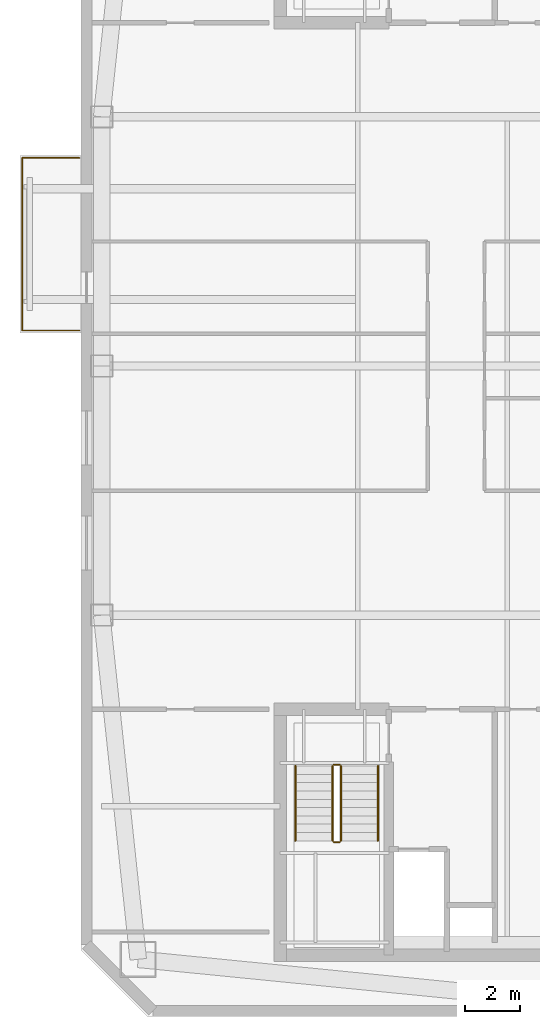
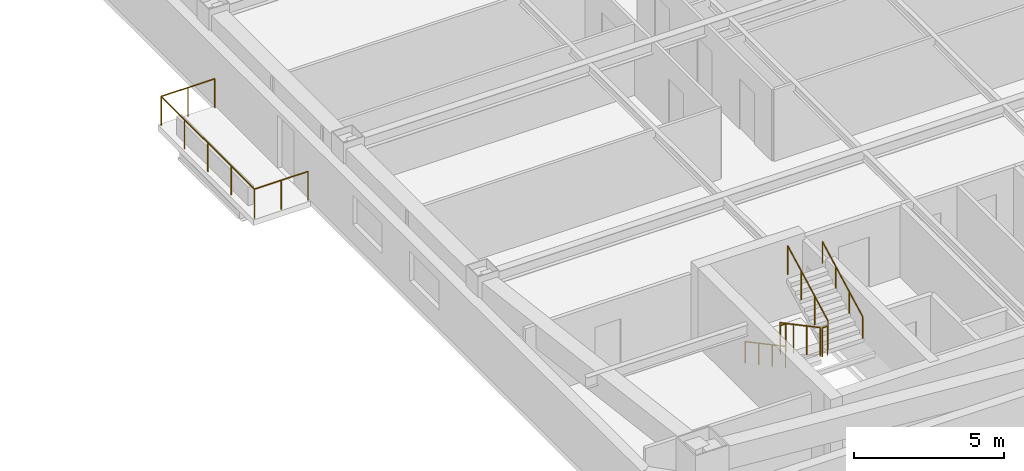
# One storey, part 13 of 16: 7 railings.
"""IFC4 building model written with IfcOpenShell, lengths in metres."""

from ifc_helpers import new_model, si_unit, direction, frame, origin, origin_2d, place, context, subcontext, project, spatial, circle, extrude, material, type_object, element, save


model = new_model("IFC4")

# Units and contexts
model_context = context("Model", 3, precision=1e-05, world=origin(), true_north=direction((0.0, 1.0)))
body_context = subcontext(model_context, "Body", "Model", "MODEL_VIEW")
ifc_project = project(units=[si_unit("LENGTHUNIT", "METRE"), si_unit("AREAUNIT", "SQUARE_METRE"), si_unit("VOLUMEUNIT", "CUBIC_METRE"), si_unit("PLANEANGLEUNIT", "RADIAN"), si_unit("MASSUNIT", "GRAM", prefix="KILO")], contexts=[model_context])

# Site, building, storey
site_placement = place(None, origin())
site = spatial("IfcSite", under=ifc_project, at=site_placement, CompositionType="ELEMENT")
building_placement = place(site_placement, origin())
building = spatial("IfcBuilding", under=site, at=building_placement, Name="Qiaolan Cultural Towers", CompositionType="ELEMENT")
storey_placement = place(building_placement, frame((0.0, 0.0, 240.800048828125)))
storey = spatial("IfcBuildingStorey", under=building, at=storey_placement, Name="L65", CompositionType="ELEMENT", Elevation=240.800048828125)

# Railings
ifc_material_1 = material(Name="Laminated SentryGlas & Stainless Steel S31608 Balustrade", Category="steel")
railing_type_1 = type_object("IfcRailingType", Name="GRD-TERR-1200", PredefinedType="BALUSTRADE", material=ifc_material_1)
railing_1_placement = place(storey_placement, frame((14.550048828125, 35.280029296875, 0.0)))
element("IfcRailing", 1, at=railing_1_placement, inside=storey, type_object=railing_type_1, Name="L65 T1 Tree Balcony Guardrail W", PredefinedType="BALUSTRADE", context=body_context, shape_type="SweptSolid", body=[
    extrude(circle(Radius=0.02392578125, at=origin_2d()), frame((0.0, 0.0, 1.17578125), z_axis=(-1.0, 0.0, 0.0), x_axis=(0.0, -1.0, 0.0)), (0.0, 0.0, 1.0), 2.070068359375),
    extrude(circle(Radius=0.02392578125, at=origin_2d()), frame((-2.070068359375, 0.0, 1.17578125), z_axis=(0.0, 1.0, 0.0), x_axis=(-1.0, 0.0, 0.0)), (0.0, 0.0, 1.0), 6.239990234375),
    extrude(circle(Radius=0.02392578125, at=origin_2d()), frame((-2.070068359375, 6.239990234375, 1.17578125), z_axis=(1.0, 0.0, 0.0), x_axis=(0.0, 1.0, 0.0)), (0.0, 0.0, 1.0), 2.070068359375),
    extrude(circle(Radius=0.02099609375, at=origin_2d()), origin(), (0.0, 0.0, 1.0), 1.15185546875),
    extrude(circle(Radius=0.02099609375, at=origin_2d()), frame((-1.03515625, 0.0, 0.0)), (0.0, 0.0, 1.0), 1.15185546875),
    extrude(circle(Radius=0.02099609375, at=origin_2d()), frame((-2.070068359375, 0.0, 0.0)), (0.0, 0.0, 1.0), 1.15185546875),
    extrude(circle(Radius=0.02099609375, at=origin_2d()), frame((-2.070068359375, 1.56005859375, 0.0)), (0.0, 0.0, 1.0), 1.15185546875),
    extrude(circle(Radius=0.02099609375, at=origin_2d()), frame((-2.070068359375, 3.1201171875, 0.0)), (0.0, 0.0, 1.0), 1.15185546875),
    extrude(circle(Radius=0.02099609375, at=origin_2d()), frame((-2.070068359375, 4.679931640625, 0.0)), (0.0, 0.0, 1.0), 1.15185546875),
    extrude(circle(Radius=0.02099609375, at=origin_2d()), frame((-2.070068359375, 6.239990234375, 0.0)), (0.0, 0.0, 1.0), 1.15185546875),
    extrude(circle(Radius=0.02099609375, at=origin_2d()), frame((-1.03515625, 6.239990234375, 0.0)), (0.0, 0.0, 1.0), 1.15185546875),
    extrude(circle(Radius=0.02099609375, at=origin_2d()), frame((0.0, 6.239990234375, 0.0)), (0.0, 0.0, 1.0), 1.15185546875),
])
ifc_material_2 = material(Name="Galvanized Painted Steel Stair Guardrail", Category="steel")
railing_type_2 = type_object("IfcRailingType", Name="RL-STAIR-GRD", PredefinedType="GUARDRAIL", material=ifc_material_2)
railing_2_placement = place(storey_placement, frame((23.68994140625, 19.550048828125, 0.159912109375)))
element("IfcRailing", 2, at=railing_2_placement, inside=storey, type_object=railing_type_2, Name="L65 ST-W1 stair guard 1", PredefinedType="GUARDRAIL", context=body_context, shape_type="SweptSolid", body=[
    extrude(circle(Radius=0.02392578125, at=origin_2d()), frame((0.0, 0.0, 1.17578125), z_axis=(0.0, -0.882357358376, 0.470579952952), x_axis=(1.0, 0.0, 0.0)), (0.0, 0.0, 1.0), 3.059814453125),
    extrude(circle(Radius=0.02099609375, at=origin_2d()), origin(), (0.0, 0.0, 1.0), 1.15185546875),
    extrude(circle(Radius=0.02099609375, at=origin_2d()), frame((0.0, -0.89990234375, 0.47998046875)), (0.0, 0.0, 1.0), 1.15185546875),
    extrude(circle(Radius=0.02099609375, at=origin_2d()), frame((0.0, -1.800048828125, 0.9599609375)), (0.0, 0.0, 1.0), 1.15185546875),
    extrude(circle(Radius=0.02099609375, at=origin_2d()), frame((0.0, -2.699951171875, 1.43994140625)), (0.0, 0.0, 1.0), 1.15185546875),
])
railing_3_placement = place(storey_placement, frame((23.739990234375, 16.800048828125, 1.599853515625)))
element("IfcRailing", 3, at=railing_3_placement, inside=storey, type_object=railing_type_2, Name="L65 ST-W1 stair guard 2", PredefinedType="GUARDRAIL", context=body_context, shape_type="SweptSolid", body=[
    extrude(circle(Radius=0.02392578125, at=origin_2d()), frame((0.0, 0.0, 1.17578125), z_axis=(1.0, 0.0, 0.0), x_axis=(0.0, 1.0, 0.0)), (0.0, 0.0, 1.0), 0.199951171875),
    extrude(circle(Radius=0.02099609375, at=origin_2d()), origin(), (0.0, 0.0, 1.0), 1.15185546875),
    extrude(circle(Radius=0.02099609375, at=origin_2d()), frame((0.199951171875, 0.0, 0.0)), (0.0, 0.0, 1.0), 1.15185546875),
])
railing_4_placement = place(storey_placement, frame((23.989990234375, 16.85009765625, 1.760009765625)))
element("IfcRailing", 4, at=railing_4_placement, inside=storey, type_object=railing_type_2, Name="L65 ST-W1 stair guard 3", PredefinedType="GUARDRAIL", context=body_context, shape_type="SweptSolid", body=[
    extrude(circle(Radius=0.02392578125, at=origin_2d()), frame((0.0, 0.0, 1.17578125), z_axis=(0.0, 0.882357358376, 0.470579952952), x_axis=(-1.0, 0.0, 0.0)), (0.0, 0.0, 1.0), 3.059814453125),
    extrude(circle(Radius=0.02099609375, at=origin_2d()), origin(), (0.0, 0.0, 1.0), 1.15185546875),
    extrude(circle(Radius=0.02099609375, at=origin_2d()), frame((0.0, 0.89990234375, 0.47998046875)), (0.0, 0.0, 1.0), 1.15185546875),
    extrude(circle(Radius=0.02099609375, at=origin_2d()), frame((0.0, 1.800048828125, 0.9599609375)), (0.0, 0.0, 1.0), 1.15185546875),
    extrude(circle(Radius=0.02099609375, at=origin_2d()), frame((0.0, 2.699951171875, 1.43994140625)), (0.0, 0.0, 1.0), 1.15185546875),
])
railing_5_placement = place(storey_placement, frame((23.739990234375, 19.60009765625, 0.0)))
element("IfcRailing", 5, at=railing_5_placement, inside=storey, type_object=railing_type_2, Name="L65 ST-W1 stair guard 4", PredefinedType="GUARDRAIL", context=body_context, shape_type="SweptSolid", body=[
    extrude(circle(Radius=0.02392578125, at=origin_2d()), frame((0.0, 0.0, 1.17578125), z_axis=(1.0, 0.0, 0.0), x_axis=(0.0, 1.0, 0.0)), (0.0, 0.0, 1.0), 0.199951171875),
    extrude(circle(Radius=0.02099609375, at=origin_2d()), origin(), (0.0, 0.0, 1.0), 1.15185546875),
    extrude(circle(Radius=0.02099609375, at=origin_2d()), frame((0.199951171875, 0.0, 0.0)), (0.0, 0.0, 1.0), 1.15185546875),
])
ifc_material_3 = material(Name="Stainless Steel S30408 Tubular Handrail", Category="steel")
railing_type_3 = type_object("IfcRailingType", Name="RL-STAIR-HR", PredefinedType="HANDRAIL", material=ifc_material_3)
railing_6_placement = place(storey_placement, frame((22.35009765625, 19.550048828125, 0.159912109375)))
element("IfcRailing", 6, at=railing_6_placement, inside=storey, type_object=railing_type_3, Name="L65 ST-W1 stair handrail 1", PredefinedType="HANDRAIL", context=body_context, shape_type="SweptSolid", body=[
    extrude(circle(Radius=0.02392578125, at=origin_2d()), frame((0.0, 0.0, 0.8759765625), z_axis=(0.0, -0.882357358376, 0.470579952952), x_axis=(1.0, 0.0, 0.0)), (0.0, 0.0, 1.0), 3.059814453125),
    extrude(circle(Radius=0.02099609375, at=origin_2d()), origin(), (0.0, 0.0, 1.0), 0.851806640625),
    extrude(circle(Radius=0.02099609375, at=origin_2d()), frame((0.0, -0.89990234375, 0.47998046875)), (0.0, 0.0, 1.0), 0.851806640625),
    extrude(circle(Radius=0.02099609375, at=origin_2d()), frame((0.0, -1.800048828125, 0.9599609375)), (0.0, 0.0, 1.0), 0.851806640625),
    extrude(circle(Radius=0.02099609375, at=origin_2d()), frame((0.0, -2.699951171875, 1.43994140625)), (0.0, 0.0, 1.0), 0.851806640625),
])
railing_7_placement = place(storey_placement, frame((25.330078125, 16.85009765625, 1.760009765625)))
element("IfcRailing", 7, at=railing_7_placement, inside=storey, type_object=railing_type_3, Name="L65 ST-W1 stair handrail 2", PredefinedType="HANDRAIL", context=body_context, shape_type="SweptSolid", body=[
    extrude(circle(Radius=0.02392578125, at=origin_2d()), frame((0.0, 0.0, 0.8759765625), z_axis=(0.0, 0.882357358376, 0.470579952952), x_axis=(-1.0, 0.0, 0.0)), (0.0, 0.0, 1.0), 3.059814453125),
    extrude(circle(Radius=0.02099609375, at=origin_2d()), origin(), (0.0, 0.0, 1.0), 0.851806640625),
    extrude(circle(Radius=0.02099609375, at=origin_2d()), frame((0.0, 0.89990234375, 0.47998046875)), (0.0, 0.0, 1.0), 0.851806640625),
    extrude(circle(Radius=0.02099609375, at=origin_2d()), frame((0.0, 1.800048828125, 0.9599609375)), (0.0, 0.0, 1.0), 0.851806640625),
    extrude(circle(Radius=0.02099609375, at=origin_2d()), frame((0.0, 2.699951171875, 1.43994140625)), (0.0, 0.0, 1.0), 0.851806640625),
])

save(model, "model.ifc")
